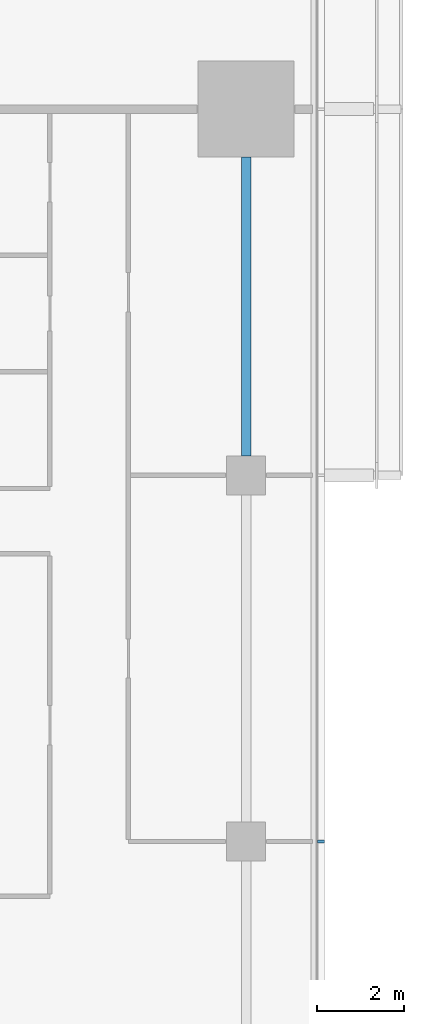
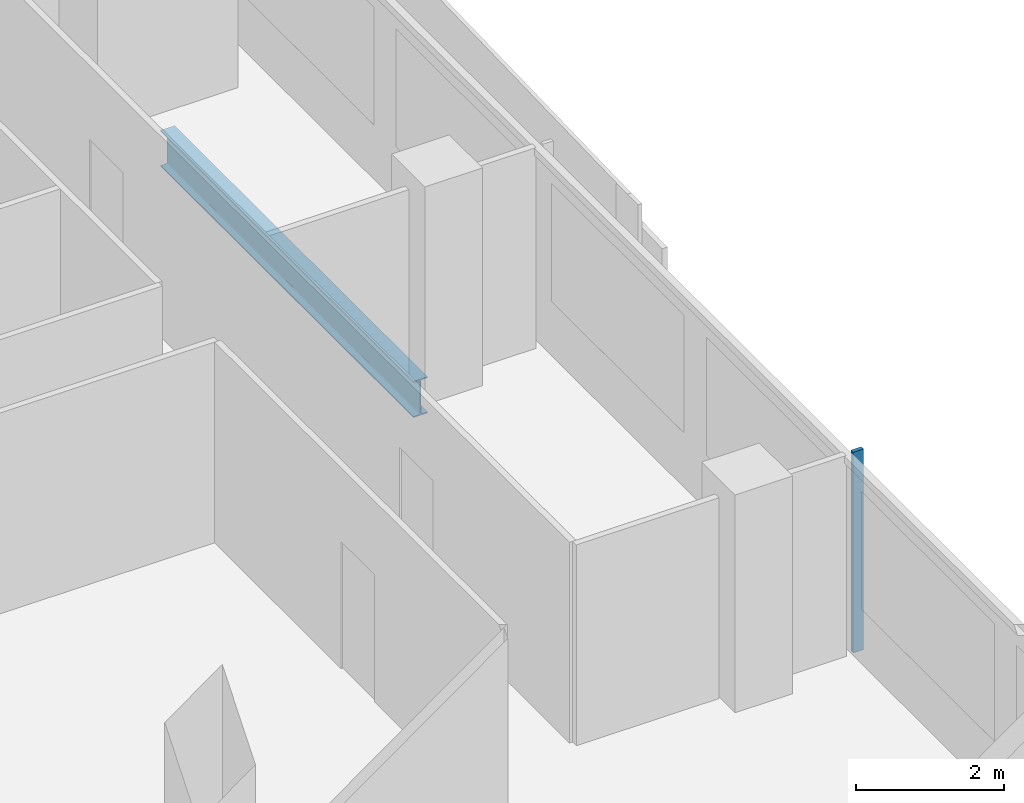
# One storey, part 12 of 29: 1 beam, 1 member, 1 element without a shape of its own.
"""IFC4 building model written with IfcOpenShell, lengths in metres."""

from ifc_helpers import new_model, si_unit, direction, frame, origin, origin_2d, place, context, subcontext, project, spatial, rectangle, i_section, extrude, material, material_profile, profile_set, type_object, element, aggregate, save


model = new_model("IFC4")

# Units and contexts
model_context = context("Model", 3, precision=1e-05, world=origin(), true_north=direction((0.0, 1.0)))
body_context = subcontext(model_context, "Body", "Model", "MODEL_VIEW")
ifc_project = project(units=[si_unit("LENGTHUNIT", "METRE"), si_unit("AREAUNIT", "SQUARE_METRE"), si_unit("VOLUMEUNIT", "CUBIC_METRE"), si_unit("PLANEANGLEUNIT", "RADIAN"), si_unit("MASSUNIT", "GRAM", prefix="KILO")], contexts=[model_context])

# Site, building, storey
site_placement = place(None, origin())
site = spatial("IfcSite", under=ifc_project, at=site_placement, CompositionType="ELEMENT")
building_placement = place(site_placement, origin())
building = spatial("IfcBuilding", under=site, at=building_placement, Name="Saffron Gate Tower", CompositionType="ELEMENT")
storey_placement = place(building_placement, frame((0.0, 0.0, 55.199951171875)))
storey = spatial("IfcBuildingStorey", under=building, at=storey_placement, Name="L12", CompositionType="ELEMENT", Elevation=55.199951171875)

# Beam
ifc_material_1 = material(Name="Structural steel S355", Category="steel")
ifc_material_profile_1 = material_profile(ifc_material_1, i_section(OverallWidth=0.219970703125, OverallDepth=0.60009765625, WebThickness=0.011962890625, FlangeThickness=0.01904296875, FilletRadius=0.02392578125, at=origin_2d()))
ifc_profile_set_1 = profile_set([ifc_material_profile_1], Name="Structural steel S355")
beam_type = type_object("IfcBeamType", Name="B16 IPE 600", PredefinedType="SPANDREL", material=ifc_profile_set_1)
beam_placement = place(storey_placement, frame((125.39990234375, 57.449951171875, -0.579833984375), z_axis=(0.0, 1.0, 0.0), x_axis=(-1.0, 0.0, 0.0)))
element("IfcBeam", 1, at=beam_placement, inside=storey, type_object=beam_type, Name="B16 SPANDREL BEAM", PredefinedType="SPANDREL", context=body_context, shape_type="SweptSolid", body=[
    extrude(i_section(OverallWidth=0.219970703125, OverallDepth=0.60009765625, WebThickness=0.011962890625, FlangeThickness=0.01904296875, FilletRadius=0.02392578125, at=origin_2d()), origin(), (0.0, 0.0, 1.0), 6.85009765625),
])

# Curtain wall, member
ifc_material_2 = material(Name="Aluminium, bronze anodised", Category="aluminium")
curtain_wall_type = type_object("IfcCurtainWallType", Name="CWS2 curtain wall side facades", PredefinedType="NOTDEFINED", material=ifc_material_2)
curtain_wall_placement = place(storey_placement, origin())
curtain_wall = element("IfcCurtainWall", 2, at=curtain_wall_placement, inside=storey, type_object=curtain_wall_type, Name="CWS2 run 4", PredefinedType="NOTDEFINED")
ifc_material_profile_2 = material_profile(ifc_material_2, rectangle(XDim=0.159912109375, YDim=0.06005859375, at=origin_2d()))
ifc_profile_set_2 = profile_set([ifc_material_profile_2], Name="Aluminium, bronze anodised")
member_type = type_object("IfcMemberType", Name="CWS2 mullion 60x160", PredefinedType="MULLION", material=ifc_profile_set_2)
member_placement = place(storey_placement, frame((127.1201171875, 48.60009765625, 0.0), z_axis=(0.0, 0.0, 1.0), x_axis=(-1.0, 0.0, 0.0)))
member = element("IfcMember", 3, at=member_placement, type_object=member_type, Name="CWS2 mullion 3", PredefinedType="MULLION", context=body_context, shape_type="SweptSolid", body=[
    extrude(rectangle(XDim=0.159912109375, YDim=0.06005859375, at=origin_2d()), origin(), (0.0, 0.0, 1.0), 3.320068359375),
])
aggregate(curtain_wall, [member])

save(model, "model.ifc")
